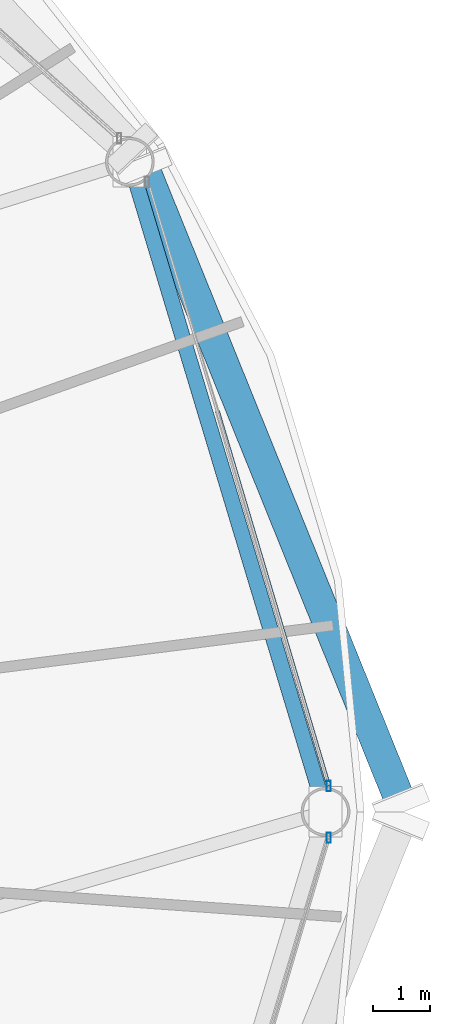
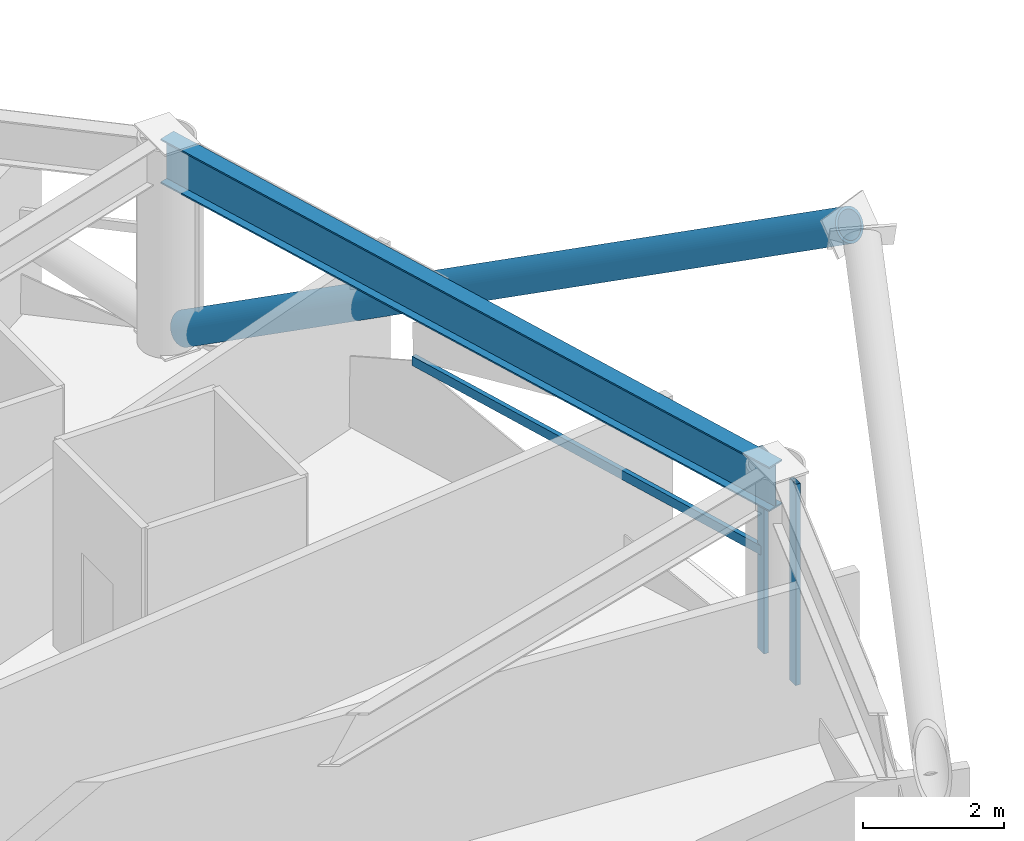
# One storey, part 12 of 31: 4 members, 1 beam, 2 elements without a shape of their own.
"""IFC4 building model written with IfcOpenShell, lengths in metres."""

from ifc_helpers import new_model, si_unit, direction, frame, origin, origin_2d, place, context, subcontext, project, spatial, hollow_rectangle, hollow_circle, i_section, extrude, material, layer, layer_set, material_profile, profile_set, type_object, element, aggregate, save


model = new_model("IFC4")

# Units and contexts
model_context = context("Model", 3, precision=1e-05, world=origin(), true_north=direction((0.0, 1.0)))
body_context = subcontext(model_context, "Body", "Model", "MODEL_VIEW")
ifc_project = project(units=[si_unit("LENGTHUNIT", "METRE"), si_unit("AREAUNIT", "SQUARE_METRE"), si_unit("VOLUMEUNIT", "CUBIC_METRE"), si_unit("PLANEANGLEUNIT", "RADIAN"), si_unit("MASSUNIT", "GRAM", prefix="KILO")], contexts=[model_context])

# Site, building, storey
site_placement = place(None, origin())
site = spatial("IfcSite", under=ifc_project, at=site_placement, CompositionType="ELEMENT")
building_placement = place(site_placement, origin())
building = spatial("IfcBuilding", under=site, at=building_placement, Name="Vantalir Tower", CompositionType="ELEMENT")
storey_placement = place(building_placement, frame((0.0, 0.0, 34.5)))
storey = spatial("IfcBuildingStorey", under=building, at=storey_placement, Name="L07", CompositionType="ELEMENT", Elevation=34.5)

# Beam
ifc_material_1 = material(Name="Steel S460", Category="steel")
ifc_material_profile_1 = material_profile(ifc_material_1, i_section(OverallWidth=0.26806640625, OverallDepth=0.77001953125, WebThickness=0.015625, FlangeThickness=0.025390625, at=origin_2d()), Name="Steel S460")
ifc_profile_set_1 = profile_set([ifc_material_profile_1], Name="Steel S460")
beam_type = type_object("IfcBeamType", Name="BM-RG-762x267", PredefinedType="USERDEFINED", material=ifc_profile_set_1)
beam_placement = place(storey_placement, frame((56.949951171875, 25.0, 3.18505859375), z_axis=(-0.288146508643, 0.957586335302, 0.0), x_axis=(-0.957586335302, -0.288146508643, 0.0)))
element("IfcBeam", 1, at=beam_placement, inside=storey, type_object=beam_type, Name="L07 Circumferential Ring Girder 01", ObjectType="GIRDER", PredefinedType="USERDEFINED", context=body_context, shape_type="SweptSolid", body=[
    extrude(i_section(OverallWidth=0.26806640625, OverallDepth=0.77001953125, WebThickness=0.015625, FlangeThickness=0.025390625, at=origin_2d()), origin(), (0.0, 0.0, 1.0), 11.833984375),
])

# Curtain wall, member
ifc_material_2 = material(Name="Champagne-silver PVDF aluminium and double-silver Low-E glass", Category="aluminium")
ifc_layer = layer(ifc_material_2, 0.18994140625)
ifc_layer_set = layer_set([ifc_layer], Name="Champagne-silver PVDF aluminium and double-silver Low-E glass")
curtain_wall_type = type_object("IfcCurtainWallType", Name="CW-DIAMOND-Z1", PredefinedType="USERDEFINED", material=ifc_layer_set)
curtain_wall_1_placement = place(storey_placement, origin())
curtain_wall_1 = element("IfcCurtainWall", 2, at=curtain_wall_1_placement, inside=storey, type_object=curtain_wall_type, Name="L07 Quilted Pyramid-Diamond Curtain Wall S01", ObjectType="UNITISED CURTAIN WALL", PredefinedType="USERDEFINED")
ifc_material_3 = material(Name="Champagne-silver PVDF aluminium 6063-T6", Category="aluminium")
ifc_material_profile_2 = material_profile(ifc_material_3, hollow_rectangle(XDim=0.074951171875, YDim=0.179931640625, WallThickness=0.00390625, at=origin_2d()), Name="Champagne-silver PVDF aluminium 6063-T6")
ifc_profile_set_2 = profile_set([ifc_material_profile_2], Name="Champagne-silver PVDF aluminium 6063-T6")
member_type_1 = type_object("IfcMemberType", Name="CWM-180x75", PredefinedType="MULLION", material=ifc_profile_set_2)
member_1_placement = place(storey_placement, frame((57.0048828125, 25.449951171875, 0.044921875), z_axis=(0.0, 0.0, 1.0), x_axis=(1.0, 0.0, 0.0)))
member_1 = element("IfcMember", 3, at=member_1_placement, type_object=member_type_1, Name="CW-L07-S01 Mullion 1", PredefinedType="MULLION", context=body_context, shape_type="SweptSolid", body=[
    extrude(hollow_rectangle(XDim=0.074951171875, YDim=0.179931640625, WallThickness=0.00390625, at=origin_2d()), origin(), (0.0, 0.0, 1.0), 3.47998046875),
])

curtain_wall_2_placement = place(storey_placement, origin())
curtain_wall_2 = element("IfcCurtainWall", 4, at=curtain_wall_2_placement, inside=storey, type_object=curtain_wall_type, Name="L07 Quilted Pyramid-Diamond Curtain Wall S12", ObjectType="UNITISED CURTAIN WALL", PredefinedType="USERDEFINED")
member_2_placement = place(storey_placement, frame((57.0048828125, 24.550048828125, 0.044921875), z_axis=(0.0, 0.0, 1.0), x_axis=(1.0, 0.0, 0.0)))
member_2 = element("IfcMember", 5, at=member_2_placement, type_object=member_type_1, Name="CW-L07-S12 Mullion 2", PredefinedType="MULLION", context=body_context, shape_type="SweptSolid", body=[
    extrude(hollow_rectangle(XDim=0.074951171875, YDim=0.179931640625, WallThickness=0.00390625, at=origin_2d()), origin(), (0.0, 0.0, 1.0), 3.47998046875),
])
aggregate(curtain_wall_2, [member_2])

# Member
ifc_material_profile_3 = material_profile(ifc_material_3, hollow_rectangle(XDim=0.074951171875, YDim=0.159912109375, WallThickness=0.00390625, at=origin_2d()), Name="Champagne-silver PVDF aluminium 6063-T6")
ifc_profile_set_3 = profile_set([ifc_material_profile_3], Name="Champagne-silver PVDF aluminium 6063-T6")
member_type_2 = type_object("IfcMemberType", Name="CWT-160x75", PredefinedType="USERDEFINED", material=ifc_profile_set_3)
member_3_placement = place(storey_placement, frame((57.0048828125, 25.449951171875, 1.784912109375), z_axis=(-0.2844907833, 0.958678775303, 0.0), x_axis=(-0.958678775303, -0.2844907833, 0.0)))
member_3 = element("IfcMember", 6, at=member_3_placement, type_object=member_type_2, Name="CW-L07-S01 Pyramid Fold Ridge Transom", ObjectType="TRANSOM", PredefinedType="USERDEFINED", context=body_context, shape_type="SweptSolid", body=[
    extrude(hollow_rectangle(XDim=0.074951171875, YDim=0.159912109375, WallThickness=0.00390625, at=origin_2d()), origin(), (0.0, 0.0, 1.0), 6.815673828125),
])

aggregate(curtain_wall_1, [member_1, member_3])

ifc_material_profile_4 = material_profile(ifc_material_1, hollow_circle(Radius=0.27001953125, WallThickness=0.044921875, at=origin_2d()), Name="Steel S460")
ifc_profile_set_4 = profile_set([ifc_material_profile_4], Name="Steel S460")
member_type_3 = type_object("IfcMemberType", Name="MEM-DB-540x45", PredefinedType="BRACE", material=ifc_profile_set_4)
member_4_placement = place(storey_placement, frame((53.77587890625, 36.2509765625, 0.18994140625), z_axis=(0.324397774372, -0.801549988497, 0.502278508322), x_axis=(0.926962548734, 0.375153879422, 0.0)))
element("IfcMember", 7, at=member_4_placement, inside=storey, type_object=member_type_3, Name="L07 Perimeter S460 Diagrid Brace R04R", PredefinedType="BRACE", context=body_context, shape_type="SweptSolid", body=[
    extrude(hollow_circle(Radius=0.27001953125, WallThickness=0.044921875, at=origin_2d()), origin(), (0.0, 0.0, 1.0), 13.81689453125),
])

save(model, "model.ifc")
